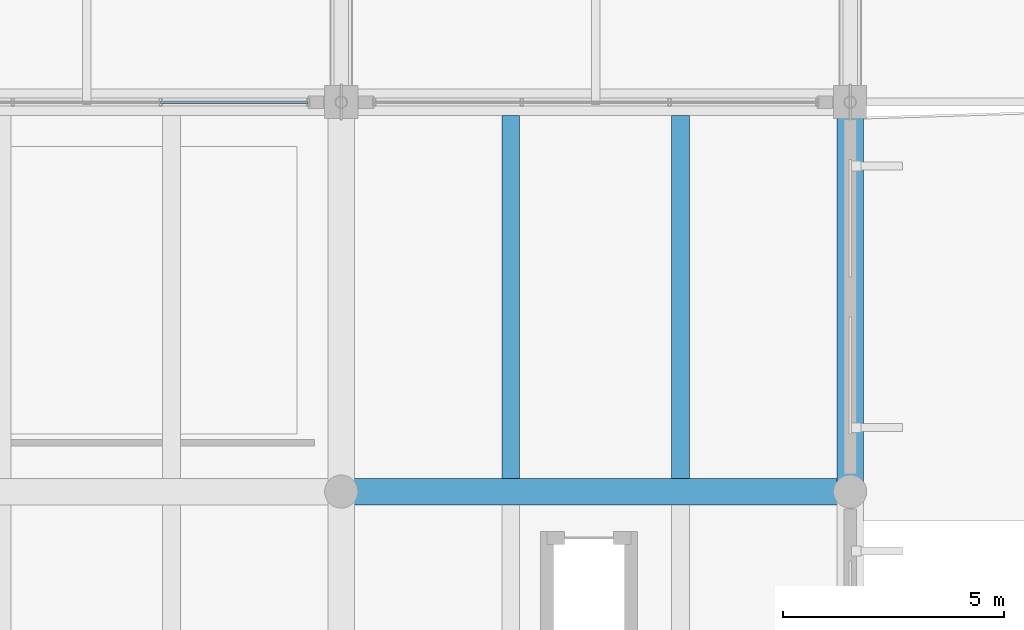
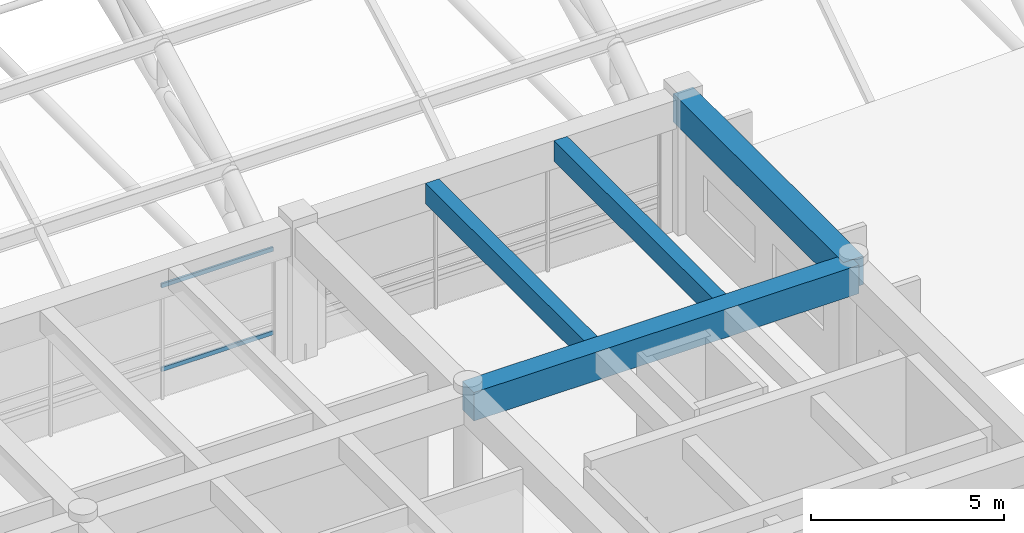
# One storey, part 47 of 154: 4 beams, 2 members, 1 element without a shape of its own.
"""IFC4 building model written with IfcOpenShell, lengths in metres."""

from ifc_helpers import new_model, si_unit, direction, frame, origin, origin_2d, place, context, subcontext, project, spatial, rectangle, hollow_rectangle, extrude, material, material_profile, profile_set, type_object, element, aggregate, save


model = new_model("IFC4")

# Units and contexts
model_context = context("Model", 3, precision=1e-05, world=origin(), true_north=direction((0.0, 1.0)))
body_context = subcontext(model_context, "Body", "Model", "MODEL_VIEW")
ifc_project = project(units=[si_unit("LENGTHUNIT", "METRE"), si_unit("AREAUNIT", "SQUARE_METRE"), si_unit("VOLUMEUNIT", "CUBIC_METRE"), si_unit("PLANEANGLEUNIT", "RADIAN"), si_unit("MASSUNIT", "GRAM", prefix="KILO")], contexts=[model_context])

# Site, building, storey
site_placement = place(None, origin())
site = spatial("IfcSite", under=ifc_project, at=site_placement, CompositionType="ELEMENT")
building_placement = place(site_placement, origin())
building = spatial("IfcBuilding", under=site, at=building_placement, Name="Ologun Quay Terminus", CompositionType="ELEMENT")
storey_placement = place(building_placement, frame((0.0, 0.0, 13.800048828125)))
storey = spatial("IfcBuildingStorey", under=building, at=storey_placement, Name="L03", CompositionType="ELEMENT", Elevation=13.800048828125)

# Curtain wall, members
ifc_material_1 = material(Name="Aluminium 6063-T6", Category="aluminium")
curtain_wall_type = type_object("IfcCurtainWallType", Name="South Pavilion Clerestory Curtain Wall 10700x4050", PredefinedType="USERDEFINED", material=ifc_material_1)
curtain_wall_placement = place(storey_placement, origin())
curtain_wall = element("IfcCurtainWall", 1, at=curtain_wall_placement, inside=storey, type_object=curtain_wall_type, Name="CW-07 Curtain Wall CW-L03-044", ObjectType="UNITISED CURTAIN WALL", PredefinedType="USERDEFINED")
ifc_material_2 = material(Name="Aluminium 6063-T6", Category="aluminium")
ifc_material_profile_1 = material_profile(ifc_material_2, hollow_rectangle(XDim=0.06005859375, YDim=0.1298828125, WallThickness=0.00390625, at=origin_2d()), Name="ALU 130x60x4")
ifc_profile_set_1 = profile_set([ifc_material_profile_1], Name="Aluminium 6063-T6")
member_type = type_object("IfcMemberType", Name="Concourse Clerestory Transom 130x60", PredefinedType="USERDEFINED", material=ifc_profile_set_1)
member_1_placement = place(storey_placement, frame((110.918212890625, 36.0, 0.89990234375), z_axis=(1.0, 0.0, 0.0), x_axis=(0.0, 1.0, 0.0)))
member_1 = element("IfcMember", 2, at=member_1_placement, type_object=member_type, Name="CW-L03-044 Transom B3-1", ObjectType="TRANSOM", PredefinedType="USERDEFINED", context=body_context, shape_type="SweptSolid", body=[
    extrude(hollow_rectangle(XDim=0.06005859375, YDim=0.1298828125, WallThickness=0.00390625, at=origin_2d()), origin(), (0.0, 0.0, 1.0), 3.336669921875),
])
member_2_placement = place(storey_placement, frame((110.918212890625, 36.0, 3.5400390625), z_axis=(1.0, 0.0, 0.0), x_axis=(0.0, 1.0, 0.0)))
member_2 = element("IfcMember", 3, at=member_2_placement, type_object=member_type, Name="CW-L03-044 Transom B3-2", ObjectType="TRANSOM", PredefinedType="USERDEFINED", context=body_context, shape_type="SweptSolid", body=[
    extrude(hollow_rectangle(XDim=0.06005859375, YDim=0.1298828125, WallThickness=0.00390625, at=origin_2d()), origin(), (0.0, 0.0, 1.0), 3.336669921875),
])
aggregate(curtain_wall, [member_1, member_2])

# Beams
ifc_material_3 = material(Name="Concrete C40/50", Category="concrete")
ifc_material_profile_2 = material_profile(ifc_material_3, rectangle(XDim=0.60009765625, YDim=0.89990234375, at=origin_2d()), Name="RC 600x900")
ifc_profile_set_2 = profile_set([ifc_material_profile_2], Name="Concrete C40/50")
beam_type_1 = type_object("IfcBeamType", Name="Station Frame Girder 600x900", PredefinedType="BEAM", material=ifc_profile_set_2)
beam_1_placement = place(storey_placement, frame((115.0, 27.199951171875, 3.800048828125), z_axis=(1.0, 0.0, 0.0), x_axis=(0.0, 1.0, 0.0)))
element("IfcBeam", 4, at=beam_1_placement, inside=storey, type_object=beam_type_1, Name="B3 Beam 11/D L03", PredefinedType="BEAM", context=body_context, shape_type="SweptSolid", body=[
    extrude(rectangle(XDim=0.60009765625, YDim=0.89990234375, at=origin_2d()), origin(), (0.0, 0.0, 1.0), 11.5),
])
beam_2_placement = place(storey_placement, frame((126.5, 27.199951171875, 3.800048828125), z_axis=(0.0, 1.0, 0.0), x_axis=(-1.0, 0.0, 0.0)))
element("IfcBeam", 5, at=beam_2_placement, inside=storey, type_object=beam_type_1, Name="B3 Beam 12/D L03", PredefinedType="BEAM", context=body_context, shape_type="SweptSolid", body=[
    extrude(rectangle(XDim=0.60009765625, YDim=0.89990234375, at=origin_2d()), origin(), (0.0, 0.0, 1.0), 8.800048828125),
])
ifc_material_4 = material(Name="Concrete C40/50", Category="concrete")
ifc_material_profile_3 = material_profile(ifc_material_4, rectangle(XDim=0.39990234375, YDim=0.64990234375, at=origin_2d()), Name="RC 400x650")
ifc_profile_set_3 = profile_set([ifc_material_profile_3], Name="Concrete C40/50")
beam_type_2 = type_object("IfcBeamType", Name="Station Secondary Joist 400x650", PredefinedType="JOIST", material=ifc_profile_set_3)
for number, where, z_axis, x_axis, name in (
    (6, (118.833251953125, 27.5, 3.925048828125), (0.0, 1.0, 0.0), (-1.0, 0.0, 0.0), "J1 Beam 11/D L03"),
    (7, (122.666748046875, 27.5, 3.925048828125), (0.0, 1.0, 0.0), (-1.0, 0.0, 0.0), "J1 Beam 11/D L03"),
):
    element("IfcBeam", number, at=place(storey_placement, frame(where, z_axis=z_axis, x_axis=x_axis)), inside=storey, type_object=beam_type_2, Name=name, PredefinedType="JOIST", context=body_context, shape_type="SweptSolid", body=[
        extrude(rectangle(XDim=0.39990234375, YDim=0.64990234375, at=origin_2d()), origin(), (0.0, 0.0, 1.0), 8.199951171875),
    ])

save(model, "model.ifc")
